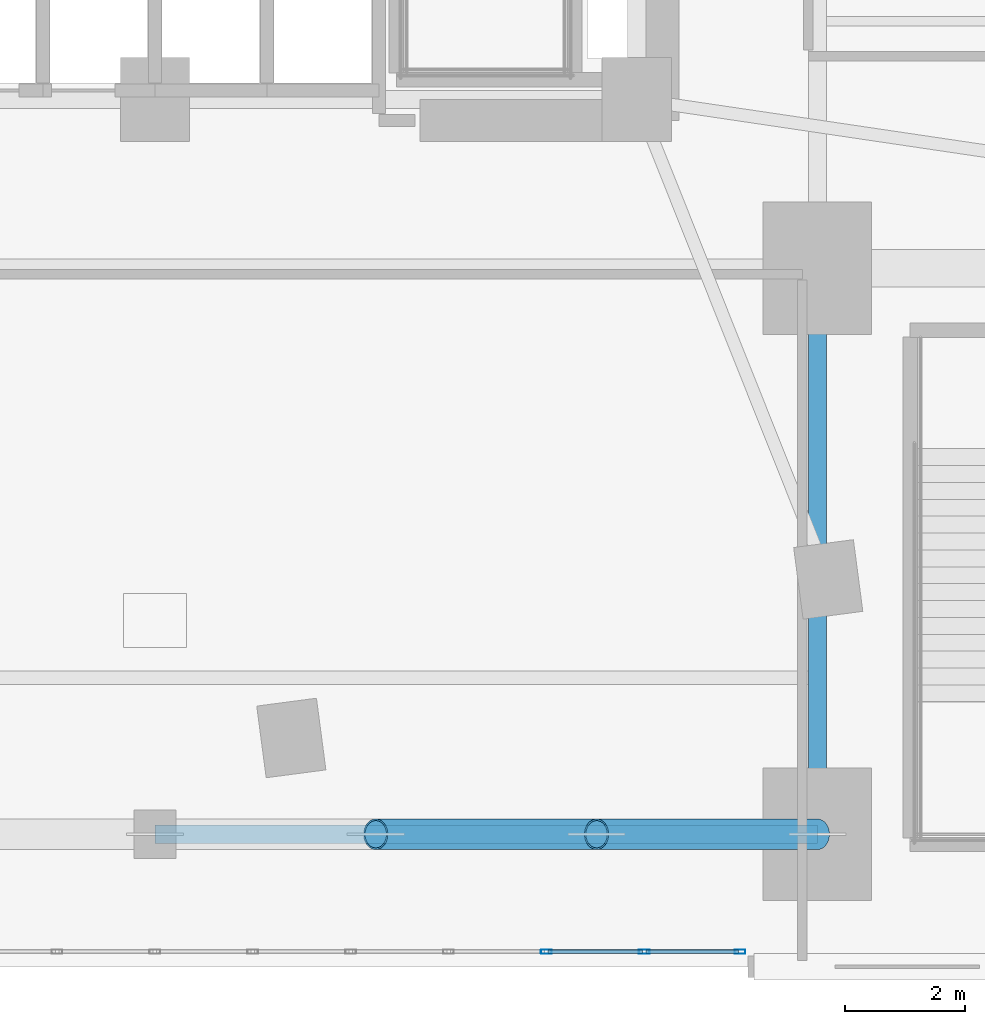
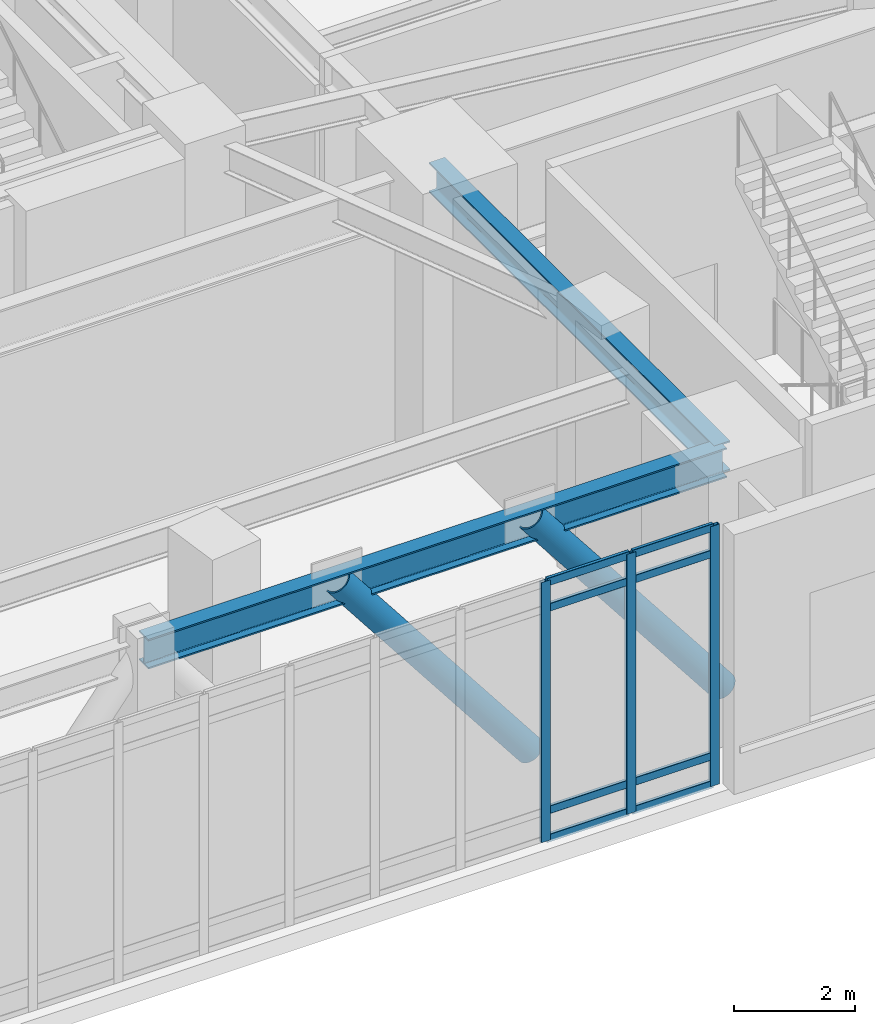
# One storey, part 6 of 19: 13 members, 2 beams, 1 element without a shape of its own.
"""IFC4 building model written with IfcOpenShell, lengths in metres."""

from ifc_helpers import new_model, si_unit, direction, frame, origin, origin_2d, place, context, subcontext, project, spatial, hollow_rectangle, hollow_circle, i_section, extrude, material, layer, layer_set, material_profile, profile_set, type_object, element, aggregate, save


model = new_model("IFC4")

# Units and contexts
model_context = context("Model", 3, precision=1e-05, world=origin(), true_north=direction((0.0, 1.0)))
body_context = subcontext(model_context, "Body", "Model", "MODEL_VIEW")
ifc_project = project(units=[si_unit("LENGTHUNIT", "METRE"), si_unit("AREAUNIT", "SQUARE_METRE"), si_unit("VOLUMEUNIT", "CUBIC_METRE"), si_unit("PLANEANGLEUNIT", "RADIAN"), si_unit("MASSUNIT", "GRAM", prefix="KILO")], contexts=[model_context])

# Site, building, storey
site_placement = place(None, origin())
site = spatial("IfcSite", under=ifc_project, at=site_placement, CompositionType="ELEMENT")
building_placement = place(site_placement, origin())
building = spatial("IfcBuilding", under=site, at=building_placement, Name="Ndelora Gate Hotel", CompositionType="ELEMENT")
storey_placement = place(building_placement, frame((0.0, 0.0, 16.0)))
storey = spatial("IfcBuildingStorey", under=building, at=storey_placement, Name="L03", CompositionType="ELEMENT", Elevation=16.0)

# Beams
ifc_material_1 = material(Name="Steel S355", Category="steel")
ifc_material_profile_1 = material_profile(ifc_material_1, i_section(OverallWidth=0.300048828125, OverallDepth=0.60009765625, WebThickness=0.015380859375, FlangeThickness=0.030029296875, FilletRadius=0.027099609375, at=origin_2d()), Name="HEB 600")
ifc_profile_set_1 = profile_set([ifc_material_profile_1], Name="Steel S355")
beam_type = type_object("IfcBeamType", Name="BM-POD-600", PredefinedType="BEAM", material=ifc_profile_set_1)
beam_1_placement = place(storey_placement, frame((11.0, -18.800048828125, 4.919921875), z_axis=(0.0, 1.0, 0.0), x_axis=(-1.0, 0.0, 0.0)))
element("IfcBeam", 1, at=beam_1_placement, inside=storey, type_object=beam_type, Name="L03 Podium Longitudinal Girder X=+11.0", PredefinedType="BEAM", context=body_context, shape_type="SweptSolid", body=[
    extrude(i_section(OverallWidth=0.300048828125, OverallDepth=0.60009765625, WebThickness=0.015380859375, FlangeThickness=0.030029296875, FilletRadius=0.027099609375, at=origin_2d()), origin(), (0.0, 0.0, 1.0), 9.400146484375),
])
beam_2_placement = place(storey_placement, frame((0.0, -18.800048828125, 4.919921875), z_axis=(1.0, 0.0, 0.0), x_axis=(0.0, 1.0, 0.0)))
element("IfcBeam", 2, at=beam_2_placement, inside=storey, type_object=beam_type, Name="L03 Podium Transverse Girder Y=-18.8", PredefinedType="BEAM", context=body_context, shape_type="SweptSolid", body=[
    extrude(i_section(OverallWidth=0.300048828125, OverallDepth=0.60009765625, WebThickness=0.015380859375, FlangeThickness=0.030029296875, FilletRadius=0.027099609375, at=origin_2d()), origin(), (0.0, 0.0, 1.0), 11.0),
])

# Curtain wall, members
ifc_material_2 = material(Name="Bronze Anodised Unitised Aluminium and Low-E Glass", Category="aluminium")
ifc_layer = layer(ifc_material_2, 0.219970703125)
ifc_layer_set = layer_set([ifc_layer], Name="Bronze Anodised Unitised Aluminium and Low-E Glass")
curtain_wall_type = type_object("IfcCurtainWallType", Name="CW-SYS-2", PredefinedType="NOTDEFINED", material=ifc_layer_set)
curtain_wall_placement = place(storey_placement, origin())
curtain_wall = element("IfcCurtainWall", 3, at=curtain_wall_placement, inside=storey, type_object=curtain_wall_type, Name="L03 South Podium Foyer Curtain Wall CW2", PredefinedType="NOTDEFINED")
ifc_material_3 = material(Name="Bronze Anodised Aluminium 6063-T6", Category="aluminium")
ifc_material_profile_2 = material_profile(ifc_material_3, hollow_rectangle(XDim=0.070068359375, YDim=0.179931640625, WallThickness=0.0048828125, InnerFilletRadius=0.0048828125, OuterFilletRadius=0.010009765625, at=origin_2d()), Name="ALU 180x70x5")
ifc_profile_set_2 = profile_set([ifc_material_profile_2], Name="Bronze Anodised Aluminium 6063-T6")
member_type_1 = type_object("IfcMemberType", Name="MB-CW-MUL180", PredefinedType="MULLION", material=ifc_profile_set_2)
member_1_placement = place(storey_placement, frame((6.5, -20.75, -0.00390625), z_axis=(0.0, 0.0, 1.0), x_axis=(0.0, 1.0, 0.0)))
member_1 = element("IfcMember", 4, at=member_1_placement, type_object=member_type_1, Name="CW2 mullion 11", PredefinedType="MULLION", context=body_context, shape_type="SweptSolid", body=[
    extrude(hollow_rectangle(XDim=0.070068359375, YDim=0.179931640625, WallThickness=0.0048828125, InnerFilletRadius=0.0048828125, OuterFilletRadius=0.010009765625, at=origin_2d()), origin(), (0.0, 0.0, 1.0), 5.22802734375),
])
member_2_placement = place(storey_placement, frame((8.125, -20.75, -0.00390625), z_axis=(0.0, 0.0, 1.0), x_axis=(0.0, 1.0, 0.0)))
member_2 = element("IfcMember", 5, at=member_2_placement, type_object=member_type_1, Name="CW2 mullion 12", PredefinedType="MULLION", context=body_context, shape_type="SweptSolid", body=[
    extrude(hollow_rectangle(XDim=0.070068359375, YDim=0.179931640625, WallThickness=0.0048828125, InnerFilletRadius=0.0048828125, OuterFilletRadius=0.010009765625, at=origin_2d()), origin(), (0.0, 0.0, 1.0), 5.22802734375),
])
member_3_placement = place(storey_placement, frame((9.715087890625, -20.75, -0.00390625), z_axis=(0.0, 0.0, 1.0), x_axis=(0.0, 1.0, 0.0)))
member_3 = element("IfcMember", 6, at=member_3_placement, type_object=member_type_1, Name="CW2 mullion 13", PredefinedType="MULLION", context=body_context, shape_type="SweptSolid", body=[
    extrude(hollow_rectangle(XDim=0.070068359375, YDim=0.179931640625, WallThickness=0.0048828125, InnerFilletRadius=0.0048828125, OuterFilletRadius=0.010009765625, at=origin_2d()), origin(), (0.0, 0.0, 1.0), 5.22802734375),
])
ifc_material_profile_3 = material_profile(ifc_material_3, hollow_rectangle(XDim=0.06494140625, YDim=0.159912109375, WallThickness=0.00390625, InnerFilletRadius=0.00390625, OuterFilletRadius=0.008056640625, at=origin_2d()), Name="ALU 160x65x4")
ifc_profile_set_3 = profile_set([ifc_material_profile_3], Name="Bronze Anodised Aluminium 6063-T6")
member_type_2 = type_object("IfcMemberType", Name="MB-CW-TRN150", PredefinedType="USERDEFINED", material=ifc_profile_set_3)
member_4_placement = place(storey_placement, frame((6.529052734375, -20.75, 0.032470703125), z_axis=(1.0, 0.0, 0.0), x_axis=(0.0, 1.0, 0.0)))
member_4 = element("IfcMember", 7, at=member_4_placement, type_object=member_type_2, Name="CW2 transom 11.1", ObjectType="TRANSOM", PredefinedType="USERDEFINED", context=body_context, shape_type="SweptSolid", body=[
    extrude(hollow_rectangle(XDim=0.06494140625, YDim=0.159912109375, WallThickness=0.00390625, InnerFilletRadius=0.00390625, OuterFilletRadius=0.008056640625, at=origin_2d()), origin(), (0.0, 0.0, 1.0), 1.56689453125),
])
member_5_placement = place(storey_placement, frame((6.529052734375, -20.75, 0.60009765625), z_axis=(1.0, 0.0, 0.0), x_axis=(0.0, 1.0, 0.0)))
member_5 = element("IfcMember", 8, at=member_5_placement, type_object=member_type_2, Name="CW2 transom 11.2", ObjectType="TRANSOM", PredefinedType="USERDEFINED", context=body_context, shape_type="SweptSolid", body=[
    extrude(hollow_rectangle(XDim=0.06494140625, YDim=0.159912109375, WallThickness=0.00390625, InnerFilletRadius=0.00390625, OuterFilletRadius=0.008056640625, at=origin_2d()), origin(), (0.0, 0.0, 1.0), 1.56689453125),
])
member_6_placement = place(storey_placement, frame((6.529052734375, -20.75, 4.669921875), z_axis=(1.0, 0.0, 0.0), x_axis=(0.0, 1.0, 0.0)))
member_6 = element("IfcMember", 9, at=member_6_placement, type_object=member_type_2, Name="CW2 transom 11.3", ObjectType="TRANSOM", PredefinedType="USERDEFINED", context=body_context, shape_type="SweptSolid", body=[
    extrude(hollow_rectangle(XDim=0.06494140625, YDim=0.159912109375, WallThickness=0.00390625, InnerFilletRadius=0.00390625, OuterFilletRadius=0.008056640625, at=origin_2d()), origin(), (0.0, 0.0, 1.0), 1.56689453125),
])
member_7_placement = place(storey_placement, frame((6.529052734375, -20.75, 5.1875), z_axis=(1.0, 0.0, 0.0), x_axis=(0.0, 1.0, 0.0)))
member_7 = element("IfcMember", 10, at=member_7_placement, type_object=member_type_2, Name="CW2 transom 11.4", ObjectType="TRANSOM", PredefinedType="USERDEFINED", context=body_context, shape_type="SweptSolid", body=[
    extrude(hollow_rectangle(XDim=0.06494140625, YDim=0.159912109375, WallThickness=0.00390625, InnerFilletRadius=0.00390625, OuterFilletRadius=0.008056640625, at=origin_2d()), origin(), (0.0, 0.0, 1.0), 1.56689453125),
])
member_8_placement = place(storey_placement, frame((8.154052734375, -20.75, 0.032470703125), z_axis=(1.0, 0.0, 0.0), x_axis=(0.0, 1.0, 0.0)))
member_8 = element("IfcMember", 11, at=member_8_placement, type_object=member_type_2, Name="CW2 transom 12.1", ObjectType="TRANSOM", PredefinedType="USERDEFINED", context=body_context, shape_type="SweptSolid", body=[
    extrude(hollow_rectangle(XDim=0.06494140625, YDim=0.159912109375, WallThickness=0.00390625, InnerFilletRadius=0.00390625, OuterFilletRadius=0.008056640625, at=origin_2d()), origin(), (0.0, 0.0, 1.0), 1.531982421875),
])
member_9_placement = place(storey_placement, frame((8.154052734375, -20.75, 0.60009765625), z_axis=(1.0, 0.0, 0.0), x_axis=(0.0, 1.0, 0.0)))
member_9 = element("IfcMember", 12, at=member_9_placement, type_object=member_type_2, Name="CW2 transom 12.2", ObjectType="TRANSOM", PredefinedType="USERDEFINED", context=body_context, shape_type="SweptSolid", body=[
    extrude(hollow_rectangle(XDim=0.06494140625, YDim=0.159912109375, WallThickness=0.00390625, InnerFilletRadius=0.00390625, OuterFilletRadius=0.008056640625, at=origin_2d()), origin(), (0.0, 0.0, 1.0), 1.531982421875),
])
member_10_placement = place(storey_placement, frame((8.154052734375, -20.75, 4.669921875), z_axis=(1.0, 0.0, 0.0), x_axis=(0.0, 1.0, 0.0)))
member_10 = element("IfcMember", 13, at=member_10_placement, type_object=member_type_2, Name="CW2 transom 12.3", ObjectType="TRANSOM", PredefinedType="USERDEFINED", context=body_context, shape_type="SweptSolid", body=[
    extrude(hollow_rectangle(XDim=0.06494140625, YDim=0.159912109375, WallThickness=0.00390625, InnerFilletRadius=0.00390625, OuterFilletRadius=0.008056640625, at=origin_2d()), origin(), (0.0, 0.0, 1.0), 1.531982421875),
])
member_11_placement = place(storey_placement, frame((8.154052734375, -20.75, 5.1875), z_axis=(1.0, 0.0, 0.0), x_axis=(0.0, 1.0, 0.0)))
member_11 = element("IfcMember", 14, at=member_11_placement, type_object=member_type_2, Name="CW2 transom 12.4", ObjectType="TRANSOM", PredefinedType="USERDEFINED", context=body_context, shape_type="SweptSolid", body=[
    extrude(hollow_rectangle(XDim=0.06494140625, YDim=0.159912109375, WallThickness=0.00390625, InnerFilletRadius=0.00390625, OuterFilletRadius=0.008056640625, at=origin_2d()), origin(), (0.0, 0.0, 1.0), 1.531982421875),
])
aggregate(curtain_wall, [member_1, member_2, member_3, member_4, member_5, member_6, member_7, member_8, member_9, member_10, member_11])

# Members
ifc_material_4 = material(Name="Steel S460", Category="steel")
ifc_material_profile_4 = material_profile(ifc_material_4, hollow_circle(Radius=0.25390625, WallThickness=0.028076171875, at=origin_2d()), Name="CHS 508x28")
ifc_profile_set_4 = profile_set([ifc_material_profile_4], Name="Steel S460")
member_type_3 = type_object("IfcMemberType", Name="MB-OUT-508", PredefinedType="BRACE", material=ifc_profile_set_4)
member_12_placement = place(storey_placement, frame((3.666748046875, -18.800048828125, 5.050048828125), z_axis=(0.615088327804, 0.0, -0.788458210052), x_axis=(0.0, 1.0, 0.0)))
element("IfcMember", 15, at=member_12_placement, inside=storey, type_object=member_type_3, Name="L03 Portal Arch Crown Transfer Diagonal S-5", PredefinedType="BRACE", context=body_context, shape_type="SweptSolid", body=[
    extrude(hollow_circle(Radius=0.25390625, WallThickness=0.028076171875, at=origin_2d()), origin(), (0.0, 0.0, 1.0), 5.9609375),
])
member_13_placement = place(storey_placement, frame((7.333251953125, -18.800048828125, 5.050048828125), z_axis=(0.61511378827, 0.0, -0.788438347292), x_axis=(0.0, 1.0, 0.0)))
element("IfcMember", 16, at=member_13_placement, inside=storey, type_object=member_type_3, Name="L03 Portal Arch Crown Transfer Diagonal S-6", PredefinedType="BRACE", context=body_context, shape_type="SweptSolid", body=[
    extrude(hollow_circle(Radius=0.25390625, WallThickness=0.028076171875, at=origin_2d()), origin(), (0.0, 0.0, 1.0), 5.961181640625),
])

save(model, "model.ifc")
